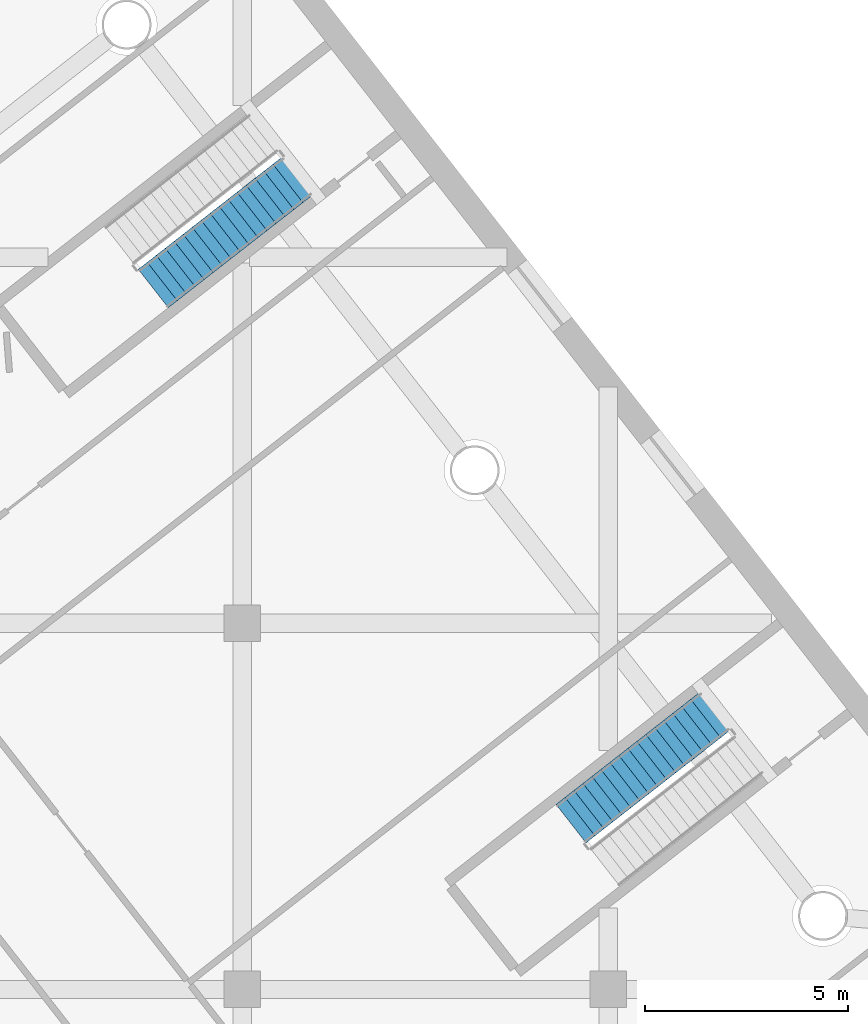
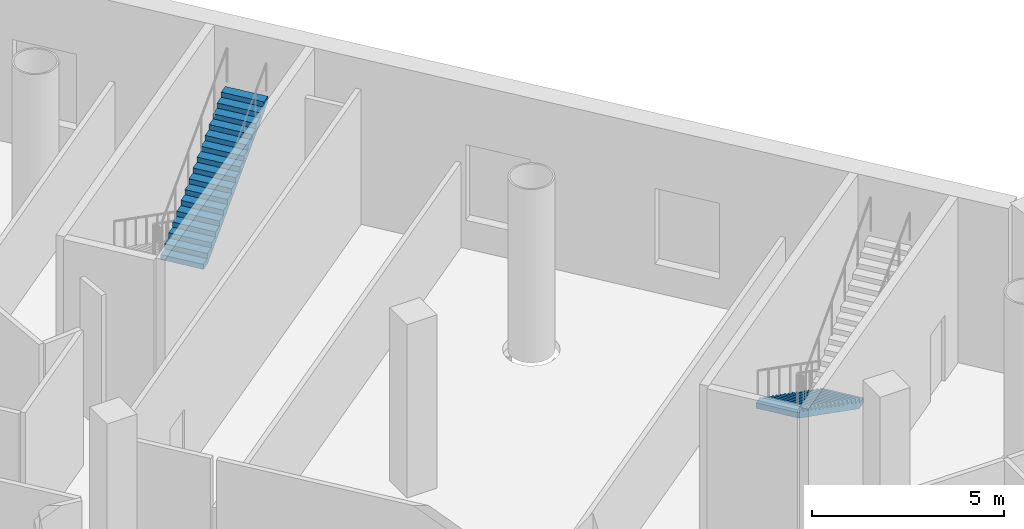
# One storey, part 18 of 23: 2 stair flights, 2 elements without a shape of their own.
"""IFC4 building model written with IfcOpenShell, lengths in metres."""

from ifc_helpers import new_model, si_unit, direction, frame, origin, place, context, subcontext, project, spatial, faceted_brep, material, type_object, element, aggregate, save


model = new_model("IFC4")

# Units and contexts
model_context = context("Model", 3, precision=1e-05, world=origin(), true_north=direction((0.0, 1.0)))
body_context = subcontext(model_context, "Body", "Model", "MODEL_VIEW")
ifc_project = project(units=[si_unit("LENGTHUNIT", "METRE"), si_unit("AREAUNIT", "SQUARE_METRE"), si_unit("VOLUMEUNIT", "CUBIC_METRE"), si_unit("PLANEANGLEUNIT", "RADIAN"), si_unit("MASSUNIT", "GRAM", prefix="KILO")], contexts=[model_context])

# Site, building, storey
site_placement = place(None, origin())
site = spatial("IfcSite", under=ifc_project, at=site_placement, CompositionType="ELEMENT")
building_placement = place(site_placement, origin())
building = spatial("IfcBuilding", under=site, at=building_placement, Name="Tarsis Ring Headquarters", CompositionType="ELEMENT")
storey_placement = place(building_placement, frame((0.0, 0.0, 14.0)))
storey = spatial("IfcBuildingStorey", under=building, at=storey_placement, Name="L02", CompositionType="ELEMENT", Elevation=14.0)

# Stair, stair flight
ifc_material = material(Name="Concrete C40/50", Category="concrete")
stair_type = type_object("IfcStairType", Name="PO-ST", PredefinedType="HALF_TURN_STAIR", material=ifc_material)
stair_1_placement = place(storey_placement, origin())
stair_1 = element("IfcStair", 1, at=stair_1_placement, inside=storey, type_object=stair_type, Name="L02 Podium stair", PredefinedType="HALF_TURN_STAIR")
stair_flight_type = type_object("IfcStairFlightType", Name="PO-STF", PredefinedType="STRAIGHT", material=ifc_material)
stair_flight_1_placement = place(storey_placement, frame((-6.387939453125, 33.8330078125, 0.0), z_axis=(0.0, 0.0, 1.0), x_axis=(-0.788276433435, -0.615321269331, 0.0)))
stair_flight_1 = element("IfcStairFlight", 2, at=stair_flight_1_placement, type_object=stair_flight_type, Name="Stair PS3 flight 1", NumberOfRisers=17, NumberOfTreads=16, PredefinedType="STRAIGHT", RiserHeight=0.161764706, TreadLength=0.28, context=body_context, shape_type="Brep", body=[
    faceted_brep([(0.0, 0.60009765625, 0.0), (0.0, 0.60009765625, 0.161865234375), (0.280029296875, 0.60009765625, 0.161865234375), (0.280029296875, 0.60009765625, 0.323486328125), (0.56005859375, 0.60009765625, 0.323486328125), (0.56005859375, 0.60009765625, 0.4853515625), (0.840087890625, 0.60009765625, 0.4853515625), (0.840087890625, 0.60009765625, 0.64697265625), (1.1201171875, 0.60009765625, 0.64697265625), (1.1201171875, 0.60009765625, 0.808837890625), (1.39990234375, 0.60009765625, 0.808837890625), (1.39990234375, 0.60009765625, 0.970703125), (1.679931640625, 0.60009765625, 0.970703125), (1.679931640625, 0.60009765625, 1.13232421875), (1.9599609375, 0.60009765625, 1.13232421875), (1.9599609375, 0.60009765625, 1.294189453125), (2.239990234375, 0.60009765625, 1.294189453125), (2.239990234375, 0.60009765625, 1.455810546875), (2.52001953125, 0.60009765625, 1.455810546875), (2.52001953125, 0.60009765625, 1.61767578125), (2.800048828125, 0.60009765625, 1.61767578125), (2.800048828125, 0.60009765625, 1.779296875), (3.080078125, 0.60009765625, 1.779296875), (3.080078125, 0.60009765625, 1.941162109375), (3.360107421875, 0.60009765625, 1.941162109375), (3.360107421875, 0.60009765625, 2.10302734375), (3.639892578125, 0.60009765625, 2.10302734375), (3.639892578125, 0.60009765625, 2.2646484375), (3.919921875, 0.60009765625, 2.2646484375), (3.919921875, 0.60009765625, 2.426513671875), (4.199951171875, 0.60009765625, 2.426513671875), (4.199951171875, 0.60009765625, 2.588134765625), (4.47998046875, 0.60009765625, 2.588134765625), (4.47998046875, 0.60009765625, 2.4150390625), (0.299560546875, 0.60009765625, 0.0), (0.299560546875, -0.60009765625, 0.0), (4.47998046875, -0.60009765625, 2.4150390625), (4.47998046875, -0.60009765625, 2.588134765625), (4.199951171875, -0.60009765625, 2.588134765625), (4.199951171875, -0.60009765625, 2.426513671875), (3.919921875, -0.60009765625, 2.426513671875), (3.919921875, -0.60009765625, 2.2646484375), (3.639892578125, -0.60009765625, 2.2646484375), (3.639892578125, -0.60009765625, 2.10302734375), (3.360107421875, -0.60009765625, 2.10302734375), (3.360107421875, -0.60009765625, 1.941162109375), (3.080078125, -0.60009765625, 1.941162109375), (3.080078125, -0.60009765625, 1.779296875), (2.800048828125, -0.60009765625, 1.779296875), (2.800048828125, -0.60009765625, 1.61767578125), (2.52001953125, -0.60009765625, 1.61767578125), (2.52001953125, -0.60009765625, 1.455810546875), (2.239990234375, -0.60009765625, 1.455810546875), (2.239990234375, -0.60009765625, 1.294189453125), (1.9599609375, -0.60009765625, 1.294189453125), (1.9599609375, -0.60009765625, 1.13232421875), (1.679931640625, -0.60009765625, 1.13232421875), (1.679931640625, -0.60009765625, 0.970703125), (1.39990234375, -0.60009765625, 0.970703125), (1.39990234375, -0.60009765625, 0.808837890625), (1.1201171875, -0.60009765625, 0.808837890625), (1.1201171875, -0.60009765625, 0.64697265625), (0.840087890625, -0.60009765625, 0.64697265625), (0.840087890625, -0.60009765625, 0.4853515625), (0.56005859375, -0.60009765625, 0.4853515625), (0.56005859375, -0.60009765625, 0.323486328125), (0.280029296875, -0.60009765625, 0.323486328125), (0.280029296875, -0.60009765625, 0.161865234375), (0.0, -0.60009765625, 0.161865234375), (0.0, -0.60009765625, 0.0), (0.0, -0.300048828125, 0.161865234375), (0.0, -0.300048828125, 0.0), (0.0, 0.0, 0.161865234375), (0.0, 0.0, 0.0), (0.0, 0.300048828125, 0.161865234375), (0.0, 0.300048828125, 0.0), (0.280029296875, -0.300048828125, 0.161865234375), (0.280029296875, 0.0, 0.161865234375), (0.280029296875, 0.300048828125, 0.161865234375), (0.280029296875, -0.300048828125, 0.323486328125), (0.280029296875, 0.0, 0.323486328125), (0.280029296875, 0.300048828125, 0.323486328125), (0.56005859375, -0.300048828125, 0.323486328125), (0.56005859375, 0.0, 0.323486328125), (0.56005859375, 0.300048828125, 0.323486328125), (0.56005859375, -0.300048828125, 0.4853515625), (0.56005859375, 0.0, 0.4853515625), (0.56005859375, 0.300048828125, 0.4853515625), (0.840087890625, -0.300048828125, 0.4853515625), (0.840087890625, 0.0, 0.4853515625), (0.840087890625, 0.300048828125, 0.4853515625), (0.840087890625, -0.300048828125, 0.64697265625), (0.840087890625, 0.0, 0.64697265625), (0.840087890625, 0.300048828125, 0.64697265625), (1.1201171875, -0.300048828125, 0.64697265625), (1.1201171875, 0.0, 0.64697265625), (1.1201171875, 0.300048828125, 0.64697265625), (1.1201171875, -0.300048828125, 0.808837890625), (1.1201171875, 0.0, 0.808837890625), (1.1201171875, 0.300048828125, 0.808837890625), (1.39990234375, -0.300048828125, 0.808837890625), (1.39990234375, 0.0, 0.808837890625), (1.39990234375, 0.300048828125, 0.808837890625), (1.39990234375, -0.300048828125, 0.970703125), (1.39990234375, 0.0, 0.970703125), (1.39990234375, 0.300048828125, 0.970703125), (1.679931640625, -0.300048828125, 0.970703125), (1.679931640625, 0.0, 0.970703125), (1.679931640625, 0.300048828125, 0.970703125), (1.679931640625, -0.300048828125, 1.13232421875), (1.679931640625, 0.0, 1.13232421875), (1.679931640625, 0.300048828125, 1.13232421875), (1.9599609375, -0.300048828125, 1.13232421875), (1.9599609375, 0.0, 1.13232421875), (1.9599609375, 0.300048828125, 1.13232421875), (1.9599609375, -0.300048828125, 1.294189453125), (1.9599609375, 0.0, 1.294189453125), (1.9599609375, 0.300048828125, 1.294189453125), (2.239990234375, -0.300048828125, 1.294189453125), (2.239990234375, 0.0, 1.294189453125), (2.239990234375, 0.300048828125, 1.294189453125), (2.239990234375, -0.300048828125, 1.455810546875), (2.239990234375, 0.0, 1.455810546875), (2.239990234375, 0.300048828125, 1.455810546875), (2.52001953125, -0.300048828125, 1.455810546875), (2.52001953125, 0.0, 1.455810546875), (2.52001953125, 0.300048828125, 1.455810546875), (2.52001953125, -0.300048828125, 1.61767578125), (2.52001953125, 0.0, 1.61767578125), (2.52001953125, 0.300048828125, 1.61767578125), (2.800048828125, -0.300048828125, 1.61767578125), (2.800048828125, 0.0, 1.61767578125), (2.800048828125, 0.300048828125, 1.61767578125), (2.800048828125, -0.300048828125, 1.779296875), (2.800048828125, 0.0, 1.779296875), (2.800048828125, 0.300048828125, 1.779296875), (3.080078125, -0.300048828125, 1.779296875), (3.080078125, 0.0, 1.779296875), (3.080078125, 0.300048828125, 1.779296875), (3.080078125, -0.300048828125, 1.941162109375), (3.080078125, 0.0, 1.941162109375), (3.080078125, 0.300048828125, 1.941162109375), (3.360107421875, -0.300048828125, 1.941162109375), (3.360107421875, 0.0, 1.941162109375), (3.360107421875, 0.300048828125, 1.941162109375), (3.360107421875, -0.300048828125, 2.10302734375), (3.360107421875, 0.0, 2.10302734375), (3.360107421875, 0.300048828125, 2.10302734375), (3.639892578125, -0.300048828125, 2.10302734375), (3.639892578125, 0.0, 2.10302734375), (3.639892578125, 0.300048828125, 2.10302734375), (3.639892578125, -0.300048828125, 2.2646484375), (3.639892578125, 0.0, 2.2646484375), (3.639892578125, 0.300048828125, 2.2646484375), (3.919921875, -0.300048828125, 2.2646484375), (3.919921875, 0.0, 2.2646484375), (3.919921875, 0.300048828125, 2.2646484375), (3.919921875, -0.300048828125, 2.426513671875), (3.919921875, 0.0, 2.426513671875), (3.919921875, 0.300048828125, 2.426513671875), (4.199951171875, -0.300048828125, 2.426513671875), (4.199951171875, 0.0, 2.426513671875), (4.199951171875, 0.300048828125, 2.426513671875), (4.199951171875, -0.300048828125, 2.588134765625), (4.199951171875, 0.0, 2.588134765625), (4.199951171875, 0.300048828125, 2.588134765625), (4.47998046875, -0.300048828125, 2.588134765625), (4.47998046875, 0.0, 2.588134765625), (4.47998046875, 0.300048828125, 2.588134765625), (4.47998046875, -0.300048828125, 2.4150390625), (4.47998046875, 0.0, 2.4150390625), (4.47998046875, 0.300048828125, 2.4150390625), (0.299560546875, -0.300048828125, 0.0), (0.299560546875, 0.0, 0.0), (0.299560546875, 0.300048828125, 0.0)], [[[0, 1, 2, 3, 4, 5, 6, 7, 8, 9, 10, 11, 12, 13, 14, 15, 16, 17, 18, 19, 20, 21, 22, 23, 24, 25, 26, 27, 28, 29, 30, 31, 32, 33, 34]], [[35, 36, 37, 38, 39, 40, 41, 42, 43, 44, 45, 46, 47, 48, 49, 50, 51, 52, 53, 54, 55, 56, 57, 58, 59, 60, 61, 62, 63, 64, 65, 66, 67, 68, 69]], [[69, 68, 70, 71]], [[71, 70, 72, 73]], [[73, 72, 74, 75]], [[75, 74, 1, 0]], [[68, 67, 76, 70]], [[70, 76, 77, 72]], [[72, 77, 78, 74]], [[74, 78, 2, 1]], [[67, 66, 79, 76]], [[76, 79, 80, 77]], [[77, 80, 81, 78]], [[78, 81, 3, 2]], [[66, 65, 82, 79]], [[79, 82, 83, 80]], [[80, 83, 84, 81]], [[81, 84, 4, 3]], [[65, 64, 85, 82]], [[82, 85, 86, 83]], [[83, 86, 87, 84]], [[84, 87, 5, 4]], [[64, 63, 88, 85]], [[85, 88, 89, 86]], [[86, 89, 90, 87]], [[87, 90, 6, 5]], [[63, 62, 91, 88]], [[88, 91, 92, 89]], [[89, 92, 93, 90]], [[90, 93, 7, 6]], [[62, 61, 94, 91]], [[91, 94, 95, 92]], [[92, 95, 96, 93]], [[93, 96, 8, 7]], [[61, 60, 97, 94]], [[94, 97, 98, 95]], [[95, 98, 99, 96]], [[96, 99, 9, 8]], [[60, 59, 100, 97]], [[97, 100, 101, 98]], [[98, 101, 102, 99]], [[99, 102, 10, 9]], [[59, 58, 103, 100]], [[100, 103, 104, 101]], [[101, 104, 105, 102]], [[102, 105, 11, 10]], [[58, 57, 106, 103]], [[103, 106, 107, 104]], [[104, 107, 108, 105]], [[105, 108, 12, 11]], [[57, 56, 109, 106]], [[106, 109, 110, 107]], [[107, 110, 111, 108]], [[108, 111, 13, 12]], [[56, 55, 112, 109]], [[109, 112, 113, 110]], [[110, 113, 114, 111]], [[111, 114, 14, 13]], [[55, 54, 115, 112]], [[112, 115, 116, 113]], [[113, 116, 117, 114]], [[114, 117, 15, 14]], [[54, 53, 118, 115]], [[115, 118, 119, 116]], [[116, 119, 120, 117]], [[117, 120, 16, 15]], [[53, 52, 121, 118]], [[118, 121, 122, 119]], [[119, 122, 123, 120]], [[120, 123, 17, 16]], [[52, 51, 124, 121]], [[121, 124, 125, 122]], [[122, 125, 126, 123]], [[123, 126, 18, 17]], [[51, 50, 127, 124]], [[124, 127, 128, 125]], [[125, 128, 129, 126]], [[126, 129, 19, 18]], [[50, 49, 130, 127]], [[127, 130, 131, 128]], [[128, 131, 132, 129]], [[129, 132, 20, 19]], [[49, 48, 133, 130]], [[130, 133, 134, 131]], [[131, 134, 135, 132]], [[132, 135, 21, 20]], [[48, 47, 136, 133]], [[133, 136, 137, 134]], [[134, 137, 138, 135]], [[135, 138, 22, 21]], [[47, 46, 139, 136]], [[136, 139, 140, 137]], [[137, 140, 141, 138]], [[138, 141, 23, 22]], [[46, 45, 142, 139]], [[139, 142, 143, 140]], [[140, 143, 144, 141]], [[141, 144, 24, 23]], [[45, 44, 145, 142]], [[142, 145, 146, 143]], [[143, 146, 147, 144]], [[144, 147, 25, 24]], [[44, 43, 148, 145]], [[145, 148, 149, 146]], [[146, 149, 150, 147]], [[147, 150, 26, 25]], [[43, 42, 151, 148]], [[148, 151, 152, 149]], [[149, 152, 153, 150]], [[150, 153, 27, 26]], [[42, 41, 154, 151]], [[151, 154, 155, 152]], [[152, 155, 156, 153]], [[153, 156, 28, 27]], [[41, 40, 157, 154]], [[154, 157, 158, 155]], [[155, 158, 159, 156]], [[156, 159, 29, 28]], [[40, 39, 160, 157]], [[157, 160, 161, 158]], [[158, 161, 162, 159]], [[159, 162, 30, 29]], [[39, 38, 163, 160]], [[160, 163, 164, 161]], [[161, 164, 165, 162]], [[162, 165, 31, 30]], [[38, 37, 166, 163]], [[163, 166, 167, 164]], [[164, 167, 168, 165]], [[165, 168, 32, 31]], [[37, 36, 169, 166]], [[166, 169, 170, 167]], [[167, 170, 171, 168]], [[168, 171, 33, 32]], [[36, 35, 172, 169]], [[169, 172, 173, 170]], [[170, 173, 174, 171]], [[171, 174, 34, 33]], [[35, 69, 71, 172]], [[172, 71, 73, 173]], [[173, 73, 75, 174]], [[174, 75, 0, 34]]]),
])
aggregate(stair_1, [stair_flight_1])

stair_2_placement = place(storey_placement, origin())
stair_2 = element("IfcStair", 3, at=stair_2_placement, inside=storey, type_object=stair_type, Name="L02 Podium stair", PredefinedType="HALF_TURN_STAIR")
stair_flight_2_placement = place(storey_placement, frame((-20.188720703125, 44.232177734375, 2.75), z_axis=(0.0, 0.0, 1.0), x_axis=(0.788276433435, 0.615321269331, 0.0)))
stair_flight_2 = element("IfcStairFlight", 4, at=stair_flight_2_placement, type_object=stair_flight_type, Name="Stair PS4 flight 2", NumberOfRisers=17, NumberOfTreads=16, PredefinedType="STRAIGHT", RiserHeight=0.161764706, TreadLength=0.28, context=body_context, shape_type="Brep", body=[
    faceted_brep([(0.0, 0.60009765625, 0.0), (0.0, 0.60009765625, 0.161865234375), (0.280029296875, 0.60009765625, 0.161865234375), (0.280029296875, 0.60009765625, 0.323486328125), (0.56005859375, 0.60009765625, 0.323486328125), (0.56005859375, 0.60009765625, 0.4853515625), (0.840087890625, 0.60009765625, 0.4853515625), (0.840087890625, 0.60009765625, 0.64697265625), (1.1201171875, 0.60009765625, 0.64697265625), (1.1201171875, 0.60009765625, 0.808837890625), (1.39990234375, 0.60009765625, 0.808837890625), (1.39990234375, 0.60009765625, 0.970703125), (1.679931640625, 0.60009765625, 0.970703125), (1.679931640625, 0.60009765625, 1.13232421875), (1.9599609375, 0.60009765625, 1.13232421875), (1.9599609375, 0.60009765625, 1.294189453125), (2.239990234375, 0.60009765625, 1.294189453125), (2.239990234375, 0.60009765625, 1.455810546875), (2.52001953125, 0.60009765625, 1.455810546875), (2.52001953125, 0.60009765625, 1.61767578125), (2.800048828125, 0.60009765625, 1.61767578125), (2.800048828125, 0.60009765625, 1.779296875), (3.080078125, 0.60009765625, 1.779296875), (3.080078125, 0.60009765625, 1.941162109375), (3.360107421875, 0.60009765625, 1.941162109375), (3.360107421875, 0.60009765625, 2.10302734375), (3.639892578125, 0.60009765625, 2.10302734375), (3.639892578125, 0.60009765625, 2.2646484375), (3.919921875, 0.60009765625, 2.2646484375), (3.919921875, 0.60009765625, 2.426513671875), (4.199951171875, 0.60009765625, 2.426513671875), (4.199951171875, 0.60009765625, 2.588134765625), (4.47998046875, 0.60009765625, 2.588134765625), (4.47998046875, 0.60009765625, 2.4150390625), (0.299560546875, 0.60009765625, 0.0), (0.299560546875, -0.60009765625, 0.0), (4.47998046875, -0.60009765625, 2.4150390625), (4.47998046875, -0.60009765625, 2.588134765625), (4.199951171875, -0.60009765625, 2.588134765625), (4.199951171875, -0.60009765625, 2.426513671875), (3.919921875, -0.60009765625, 2.426513671875), (3.919921875, -0.60009765625, 2.2646484375), (3.639892578125, -0.60009765625, 2.2646484375), (3.639892578125, -0.60009765625, 2.10302734375), (3.360107421875, -0.60009765625, 2.10302734375), (3.360107421875, -0.60009765625, 1.941162109375), (3.080078125, -0.60009765625, 1.941162109375), (3.080078125, -0.60009765625, 1.779296875), (2.800048828125, -0.60009765625, 1.779296875), (2.800048828125, -0.60009765625, 1.61767578125), (2.52001953125, -0.60009765625, 1.61767578125), (2.52001953125, -0.60009765625, 1.455810546875), (2.239990234375, -0.60009765625, 1.455810546875), (2.239990234375, -0.60009765625, 1.294189453125), (1.9599609375, -0.60009765625, 1.294189453125), (1.9599609375, -0.60009765625, 1.13232421875), (1.679931640625, -0.60009765625, 1.13232421875), (1.679931640625, -0.60009765625, 0.970703125), (1.39990234375, -0.60009765625, 0.970703125), (1.39990234375, -0.60009765625, 0.808837890625), (1.1201171875, -0.60009765625, 0.808837890625), (1.1201171875, -0.60009765625, 0.64697265625), (0.840087890625, -0.60009765625, 0.64697265625), (0.840087890625, -0.60009765625, 0.4853515625), (0.56005859375, -0.60009765625, 0.4853515625), (0.56005859375, -0.60009765625, 0.323486328125), (0.280029296875, -0.60009765625, 0.323486328125), (0.280029296875, -0.60009765625, 0.161865234375), (0.0, -0.60009765625, 0.161865234375), (0.0, -0.60009765625, 0.0), (0.0, -0.300048828125, 0.161865234375), (0.0, -0.300048828125, 0.0), (0.0, 0.0, 0.161865234375), (0.0, 0.0, 0.0), (0.0, 0.300048828125, 0.161865234375), (0.0, 0.300048828125, 0.0), (0.280029296875, -0.300048828125, 0.161865234375), (0.280029296875, 0.0, 0.161865234375), (0.280029296875, 0.300048828125, 0.161865234375), (0.280029296875, -0.300048828125, 0.323486328125), (0.280029296875, 0.0, 0.323486328125), (0.280029296875, 0.300048828125, 0.323486328125), (0.56005859375, -0.300048828125, 0.323486328125), (0.56005859375, 0.0, 0.323486328125), (0.56005859375, 0.300048828125, 0.323486328125), (0.56005859375, -0.300048828125, 0.4853515625), (0.56005859375, 0.0, 0.4853515625), (0.56005859375, 0.300048828125, 0.4853515625), (0.840087890625, -0.300048828125, 0.4853515625), (0.840087890625, 0.0, 0.4853515625), (0.840087890625, 0.300048828125, 0.4853515625), (0.840087890625, -0.300048828125, 0.64697265625), (0.840087890625, 0.0, 0.64697265625), (0.840087890625, 0.300048828125, 0.64697265625), (1.1201171875, -0.300048828125, 0.64697265625), (1.1201171875, 0.0, 0.64697265625), (1.1201171875, 0.300048828125, 0.64697265625), (1.1201171875, -0.300048828125, 0.808837890625), (1.1201171875, 0.0, 0.808837890625), (1.1201171875, 0.300048828125, 0.808837890625), (1.39990234375, -0.300048828125, 0.808837890625), (1.39990234375, 0.0, 0.808837890625), (1.39990234375, 0.300048828125, 0.808837890625), (1.39990234375, -0.300048828125, 0.970703125), (1.39990234375, 0.0, 0.970703125), (1.39990234375, 0.300048828125, 0.970703125), (1.679931640625, -0.300048828125, 0.970703125), (1.679931640625, 0.0, 0.970703125), (1.679931640625, 0.300048828125, 0.970703125), (1.679931640625, -0.300048828125, 1.13232421875), (1.679931640625, 0.0, 1.13232421875), (1.679931640625, 0.300048828125, 1.13232421875), (1.9599609375, -0.300048828125, 1.13232421875), (1.9599609375, 0.0, 1.13232421875), (1.9599609375, 0.300048828125, 1.13232421875), (1.9599609375, -0.300048828125, 1.294189453125), (1.9599609375, 0.0, 1.294189453125), (1.9599609375, 0.300048828125, 1.294189453125), (2.239990234375, -0.300048828125, 1.294189453125), (2.239990234375, 0.0, 1.294189453125), (2.239990234375, 0.300048828125, 1.294189453125), (2.239990234375, -0.300048828125, 1.455810546875), (2.239990234375, 0.0, 1.455810546875), (2.239990234375, 0.300048828125, 1.455810546875), (2.52001953125, -0.300048828125, 1.455810546875), (2.52001953125, 0.0, 1.455810546875), (2.52001953125, 0.300048828125, 1.455810546875), (2.52001953125, -0.300048828125, 1.61767578125), (2.52001953125, 0.0, 1.61767578125), (2.52001953125, 0.300048828125, 1.61767578125), (2.800048828125, -0.300048828125, 1.61767578125), (2.800048828125, 0.0, 1.61767578125), (2.800048828125, 0.300048828125, 1.61767578125), (2.800048828125, -0.300048828125, 1.779296875), (2.800048828125, 0.0, 1.779296875), (2.800048828125, 0.300048828125, 1.779296875), (3.080078125, -0.300048828125, 1.779296875), (3.080078125, 0.0, 1.779296875), (3.080078125, 0.300048828125, 1.779296875), (3.080078125, -0.300048828125, 1.941162109375), (3.080078125, 0.0, 1.941162109375), (3.080078125, 0.300048828125, 1.941162109375), (3.360107421875, -0.300048828125, 1.941162109375), (3.360107421875, 0.0, 1.941162109375), (3.360107421875, 0.300048828125, 1.941162109375), (3.360107421875, -0.300048828125, 2.10302734375), (3.360107421875, 0.0, 2.10302734375), (3.360107421875, 0.300048828125, 2.10302734375), (3.639892578125, -0.300048828125, 2.10302734375), (3.639892578125, 0.0, 2.10302734375), (3.639892578125, 0.300048828125, 2.10302734375), (3.639892578125, -0.300048828125, 2.2646484375), (3.639892578125, 0.0, 2.2646484375), (3.639892578125, 0.300048828125, 2.2646484375), (3.919921875, -0.300048828125, 2.2646484375), (3.919921875, 0.0, 2.2646484375), (3.919921875, 0.300048828125, 2.2646484375), (3.919921875, -0.300048828125, 2.426513671875), (3.919921875, 0.0, 2.426513671875), (3.919921875, 0.300048828125, 2.426513671875), (4.199951171875, -0.300048828125, 2.426513671875), (4.199951171875, 0.0, 2.426513671875), (4.199951171875, 0.300048828125, 2.426513671875), (4.199951171875, -0.300048828125, 2.588134765625), (4.199951171875, 0.0, 2.588134765625), (4.199951171875, 0.300048828125, 2.588134765625), (4.47998046875, -0.300048828125, 2.588134765625), (4.47998046875, 0.0, 2.588134765625), (4.47998046875, 0.300048828125, 2.588134765625), (4.47998046875, -0.300048828125, 2.4150390625), (4.47998046875, 0.0, 2.4150390625), (4.47998046875, 0.300048828125, 2.4150390625), (0.299560546875, -0.300048828125, 0.0), (0.299560546875, 0.0, 0.0), (0.299560546875, 0.300048828125, 0.0)], [[[0, 1, 2, 3, 4, 5, 6, 7, 8, 9, 10, 11, 12, 13, 14, 15, 16, 17, 18, 19, 20, 21, 22, 23, 24, 25, 26, 27, 28, 29, 30, 31, 32, 33, 34]], [[35, 36, 37, 38, 39, 40, 41, 42, 43, 44, 45, 46, 47, 48, 49, 50, 51, 52, 53, 54, 55, 56, 57, 58, 59, 60, 61, 62, 63, 64, 65, 66, 67, 68, 69]], [[69, 68, 70, 71]], [[71, 70, 72, 73]], [[73, 72, 74, 75]], [[75, 74, 1, 0]], [[68, 67, 76, 70]], [[70, 76, 77, 72]], [[72, 77, 78, 74]], [[74, 78, 2, 1]], [[67, 66, 79, 76]], [[76, 79, 80, 77]], [[77, 80, 81, 78]], [[78, 81, 3, 2]], [[66, 65, 82, 79]], [[79, 82, 83, 80]], [[80, 83, 84, 81]], [[81, 84, 4, 3]], [[65, 64, 85, 82]], [[82, 85, 86, 83]], [[83, 86, 87, 84]], [[84, 87, 5, 4]], [[64, 63, 88, 85]], [[85, 88, 89, 86]], [[86, 89, 90, 87]], [[87, 90, 6, 5]], [[63, 62, 91, 88]], [[88, 91, 92, 89]], [[89, 92, 93, 90]], [[90, 93, 7, 6]], [[62, 61, 94, 91]], [[91, 94, 95, 92]], [[92, 95, 96, 93]], [[93, 96, 8, 7]], [[61, 60, 97, 94]], [[94, 97, 98, 95]], [[95, 98, 99, 96]], [[96, 99, 9, 8]], [[60, 59, 100, 97]], [[97, 100, 101, 98]], [[98, 101, 102, 99]], [[99, 102, 10, 9]], [[59, 58, 103, 100]], [[100, 103, 104, 101]], [[101, 104, 105, 102]], [[102, 105, 11, 10]], [[58, 57, 106, 103]], [[103, 106, 107, 104]], [[104, 107, 108, 105]], [[105, 108, 12, 11]], [[57, 56, 109, 106]], [[106, 109, 110, 107]], [[107, 110, 111, 108]], [[108, 111, 13, 12]], [[56, 55, 112, 109]], [[109, 112, 113, 110]], [[110, 113, 114, 111]], [[111, 114, 14, 13]], [[55, 54, 115, 112]], [[112, 115, 116, 113]], [[113, 116, 117, 114]], [[114, 117, 15, 14]], [[54, 53, 118, 115]], [[115, 118, 119, 116]], [[116, 119, 120, 117]], [[117, 120, 16, 15]], [[53, 52, 121, 118]], [[118, 121, 122, 119]], [[119, 122, 123, 120]], [[120, 123, 17, 16]], [[52, 51, 124, 121]], [[121, 124, 125, 122]], [[122, 125, 126, 123]], [[123, 126, 18, 17]], [[51, 50, 127, 124]], [[124, 127, 128, 125]], [[125, 128, 129, 126]], [[126, 129, 19, 18]], [[50, 49, 130, 127]], [[127, 130, 131, 128]], [[128, 131, 132, 129]], [[129, 132, 20, 19]], [[49, 48, 133, 130]], [[130, 133, 134, 131]], [[131, 134, 135, 132]], [[132, 135, 21, 20]], [[48, 47, 136, 133]], [[133, 136, 137, 134]], [[134, 137, 138, 135]], [[135, 138, 22, 21]], [[47, 46, 139, 136]], [[136, 139, 140, 137]], [[137, 140, 141, 138]], [[138, 141, 23, 22]], [[46, 45, 142, 139]], [[139, 142, 143, 140]], [[140, 143, 144, 141]], [[141, 144, 24, 23]], [[45, 44, 145, 142]], [[142, 145, 146, 143]], [[143, 146, 147, 144]], [[144, 147, 25, 24]], [[44, 43, 148, 145]], [[145, 148, 149, 146]], [[146, 149, 150, 147]], [[147, 150, 26, 25]], [[43, 42, 151, 148]], [[148, 151, 152, 149]], [[149, 152, 153, 150]], [[150, 153, 27, 26]], [[42, 41, 154, 151]], [[151, 154, 155, 152]], [[152, 155, 156, 153]], [[153, 156, 28, 27]], [[41, 40, 157, 154]], [[154, 157, 158, 155]], [[155, 158, 159, 156]], [[156, 159, 29, 28]], [[40, 39, 160, 157]], [[157, 160, 161, 158]], [[158, 161, 162, 159]], [[159, 162, 30, 29]], [[39, 38, 163, 160]], [[160, 163, 164, 161]], [[161, 164, 165, 162]], [[162, 165, 31, 30]], [[38, 37, 166, 163]], [[163, 166, 167, 164]], [[164, 167, 168, 165]], [[165, 168, 32, 31]], [[37, 36, 169, 166]], [[166, 169, 170, 167]], [[167, 170, 171, 168]], [[168, 171, 33, 32]], [[36, 35, 172, 169]], [[169, 172, 173, 170]], [[170, 173, 174, 171]], [[171, 174, 34, 33]], [[35, 69, 71, 172]], [[172, 71, 73, 173]], [[173, 73, 75, 174]], [[174, 75, 0, 34]]]),
])
aggregate(stair_2, [stair_flight_2])

save(model, "model.ifc")
